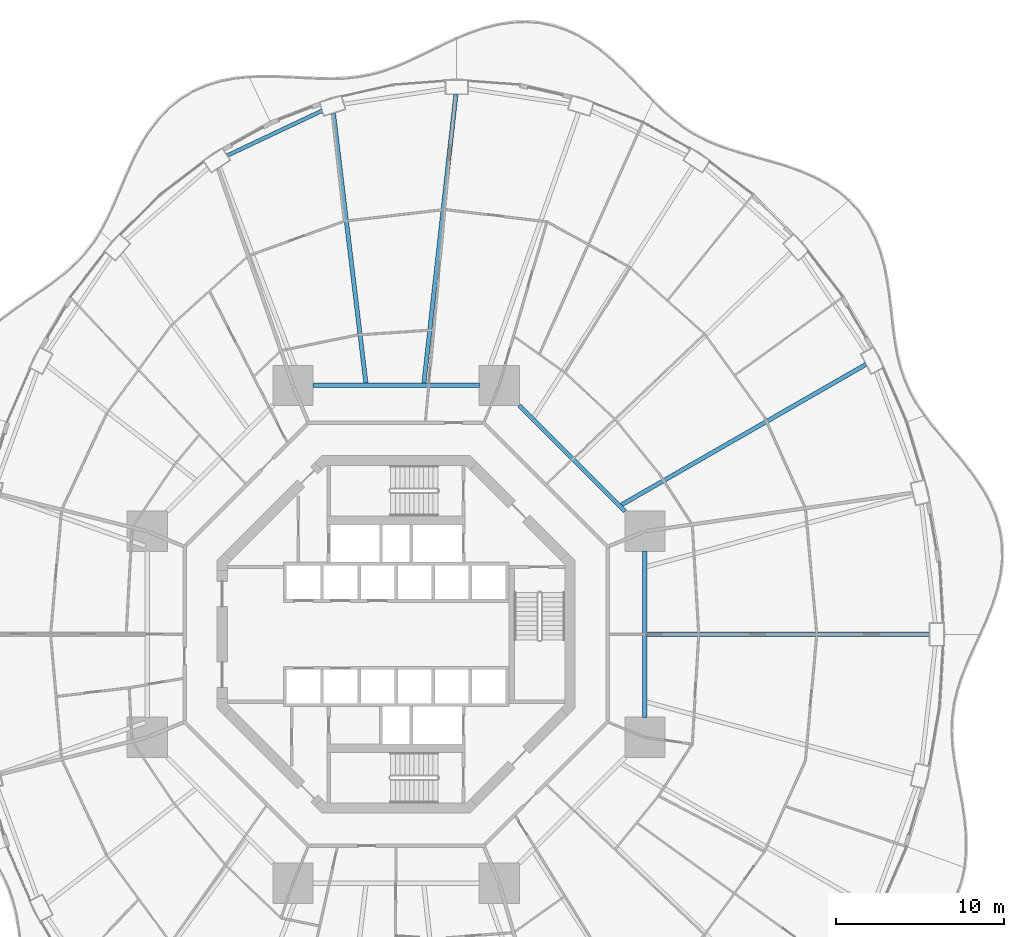
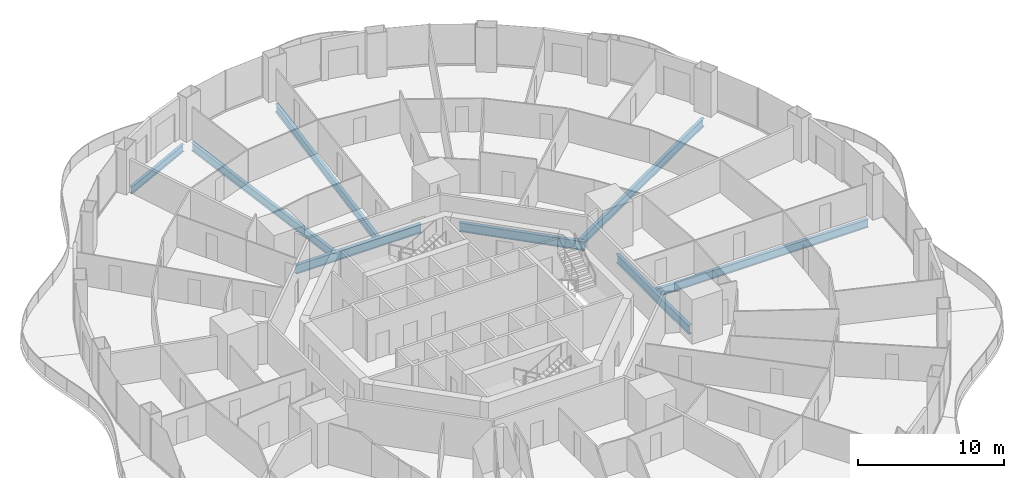
# One storey, part 8 of 22: 8 beams.
"""IFC4 building model written with IfcOpenShell, lengths in metres."""

from ifc_helpers import new_model, si_unit, direction, frame, origin, origin_2d, place, context, subcontext, project, spatial, i_section, extrude, material, material_profile, profile_set, type_object, element, save


model = new_model("IFC4")

# Units and contexts
model_context = context("Model", 3, precision=1e-05, world=origin(), true_north=direction((0.0, 1.0)))
body_context = subcontext(model_context, "Body", "Model", "MODEL_VIEW")
ifc_project = project(units=[si_unit("LENGTHUNIT", "METRE"), si_unit("AREAUNIT", "SQUARE_METRE"), si_unit("VOLUMEUNIT", "CUBIC_METRE"), si_unit("PLANEANGLEUNIT", "RADIAN"), si_unit("MASSUNIT", "GRAM", prefix="KILO")], contexts=[model_context])

# Site, building, storey
site_placement = place(None, origin())
site = spatial("IfcSite", under=ifc_project, at=site_placement, CompositionType="ELEMENT")
building_placement = place(site_placement, origin())
building = spatial("IfcBuilding", under=site, at=building_placement, Name="Nagisa Residences", CompositionType="ELEMENT")
storey_placement = place(building_placement, frame((0.0, 0.0, 49.199951171875)))
storey = spatial("IfcBuildingStorey", under=building, at=storey_placement, Name="L11", CompositionType="ELEMENT", Elevation=49.199951171875)

# Beams
ifc_material_1 = material(Name="Steel ASTM A572 Gr 50", Category="steel")
ifc_material_profile_1 = material_profile(ifc_material_1, i_section(OverallWidth=0.264892578125, OverallDepth=0.7529296875, WebThickness=0.01318359375, FlangeThickness=0.01708984375, at=origin_2d()), Name="W760x147")
ifc_profile_set_1 = profile_set([ifc_material_profile_1], Name="Steel ASTM A572 Gr 50")
beam_type_1 = type_object("IfcBeamType", Name="Inner ring beam W760x147", PredefinedType="BEAM", material=ifc_profile_set_1)
beam_1_placement = place(storey_placement, frame((13.59619140625, 7.308837890625, -0.636474609375), z_axis=(-0.707106781187, 0.707106781187, 0.0), x_axis=(-0.707106781187, -0.707106781187, 0.0)))
element("IfcBeam", 1, at=beam_1_placement, inside=storey, type_object=beam_type_1, Name="beam:L11:ib1", PredefinedType="BEAM", context=body_context, shape_type="SweptSolid", body=[
    extrude(i_section(OverallWidth=0.264892578125, OverallDepth=0.7529296875, WebThickness=0.01318359375, FlangeThickness=0.01708984375, at=origin_2d()), origin(), (0.0, 0.0, 1.0), 8.8916015625),
])
for number, where, z_axis, x_axis, name in (
    (2, (4.94287109375, 14.781982421875, -0.636474609375), (-1.0, 0.0, 0.0), (0.0, -1.0, 0.0), "beam:L11:ib2"),
    (3, (14.781982421875, -4.94287109375, -0.636474609375), (0.0, 1.0, 0.0), (-1.0, 0.0, 0.0), "beam:L11:ib8"),
):
    element("IfcBeam", number, at=place(storey_placement, frame(where, z_axis=z_axis, x_axis=x_axis)), inside=storey, type_object=beam_type_1, Name=name, PredefinedType="BEAM", context=body_context, shape_type="SweptSolid", body=[
        extrude(i_section(OverallWidth=0.264892578125, OverallDepth=0.7529296875, WebThickness=0.01318359375, FlangeThickness=0.01708984375, at=origin_2d()), origin(), (0.0, 0.0, 1.0), 9.8857421875),
    ])
ifc_material_2 = material(Name="Steel ASTM A572 Gr 50", Category="steel")
ifc_material_profile_2 = material_profile(ifc_material_2, i_section(OverallWidth=0.22802734375, OverallDepth=0.60302734375, WebThickness=0.010498046875, FlangeThickness=0.014892578125, at=origin_2d()), Name="W610x101")
ifc_profile_set_2 = profile_set([ifc_material_profile_2], Name="Steel ASTM A572 Gr 50")
beam_type_2 = type_object("IfcBeamType", Name="Perimeter ring beam W610x101", PredefinedType="BEAM", material=ifc_profile_set_2)
beam_2_placement = place(storey_placement, frame((-4.39794921875, 31.098876953125, -0.5615234375), z_axis=(-0.904208275867, -0.427091786216, 0.0), x_axis=(0.427091786216, -0.904208275867, 0.0)))
element("IfcBeam", 4, at=beam_2_placement, inside=storey, type_object=beam_type_2, Name="beam:L11:pb08", PredefinedType="BEAM", context=body_context, shape_type="SweptSolid", body=[
    extrude(i_section(OverallWidth=0.22802734375, OverallDepth=0.60302734375, WebThickness=0.010498046875, FlangeThickness=0.014892578125, at=origin_2d()), origin(), (0.0, 0.0, 1.0), 6.227294921875),
])
ifc_material_3 = material(Name="Steel ASTM A572 Gr 50", Category="steel")
ifc_material_profile_3 = material_profile(ifc_material_3, i_section(OverallWidth=0.25390625, OverallDepth=0.68408203125, WebThickness=0.012451171875, FlangeThickness=0.018798828125, at=origin_2d()), Name="W690x140")
ifc_profile_set_3 = profile_set([ifc_material_profile_3], Name="Steel ASTM A572 Gr 50")
beam_type_3 = type_object("IfcBeamType", Name="Radial beam W690x140", PredefinedType="BEAM", material=ifc_profile_set_3)
beam_3_placement = place(storey_placement, frame((31.669921875, 0.0, -0.60205078125), z_axis=(-1.0, 0.0, 0.0), x_axis=(0.0, -1.0, 0.0)))
element("IfcBeam", 5, at=beam_3_placement, inside=storey, type_object=beam_type_3, Name="beam:L11:rb01", PredefinedType="BEAM", context=body_context, shape_type="SweptSolid", body=[
    extrude(i_section(OverallWidth=0.25390625, OverallDepth=0.68408203125, WebThickness=0.012451171875, FlangeThickness=0.018798828125, at=origin_2d()), origin(), (0.0, 0.0, 1.0), 16.775390625),
])
beam_4_placement = place(storey_placement, frame((27.908447265625, 16.035400390625, -0.60205078125), z_axis=(-0.867068052258, -0.498189715623, 0.0), x_axis=(0.498189715623, -0.867068052258, 0.0)))
element("IfcBeam", 6, at=beam_4_placement, inside=storey, type_object=beam_type_3, Name="beam:L11:rb03", PredefinedType="BEAM", context=body_context, shape_type="SweptSolid", body=[
    extrude(i_section(OverallWidth=0.25390625, OverallDepth=0.68408203125, WebThickness=0.012451171875, FlangeThickness=0.018798828125, at=origin_2d()), origin(), (0.0, 0.0, 1.0), 16.758056640625),
])
beam_5_placement = place(storey_placement, frame((3.55224609375, 32.06982421875, -0.60205078125), z_axis=(-0.110088818647, -0.993921753464, 0.0), x_axis=(0.993921753464, -0.110088818647, 0.0)))
element("IfcBeam", 7, at=beam_5_placement, inside=storey, type_object=beam_type_3, Name="beam:L11:rb07", PredefinedType="BEAM", context=body_context, shape_type="SweptSolid", body=[
    extrude(i_section(OverallWidth=0.25390625, OverallDepth=0.68408203125, WebThickness=0.012451171875, FlangeThickness=0.018798828125, at=origin_2d()), origin(), (0.0, 0.0, 1.0), 17.280029296875),
])
beam_6_placement = place(storey_placement, frame((-3.72412109375, 30.958740234375, -0.60205078125), z_axis=(0.119431411612, -0.992842453726, 0.0), x_axis=(0.992842453726, 0.119431411612, 0.0)))
element("IfcBeam", 8, at=beam_6_placement, inside=storey, type_object=beam_type_3, Name="beam:L11:rb08", PredefinedType="BEAM", context=body_context, shape_type="SweptSolid", body=[
    extrude(i_section(OverallWidth=0.25390625, OverallDepth=0.68408203125, WebThickness=0.012451171875, FlangeThickness=0.018798828125, at=origin_2d()), origin(), (0.0, 0.0, 1.0), 16.1796875),
])

save(model, "model.ifc")
